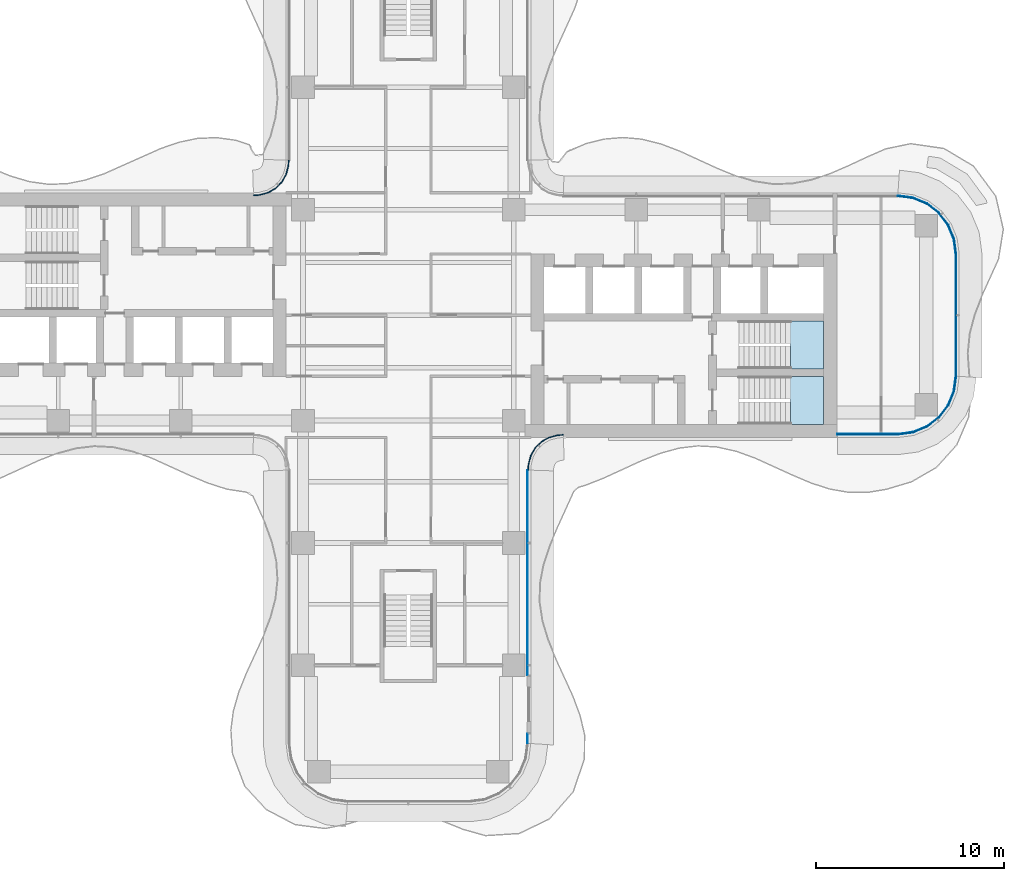
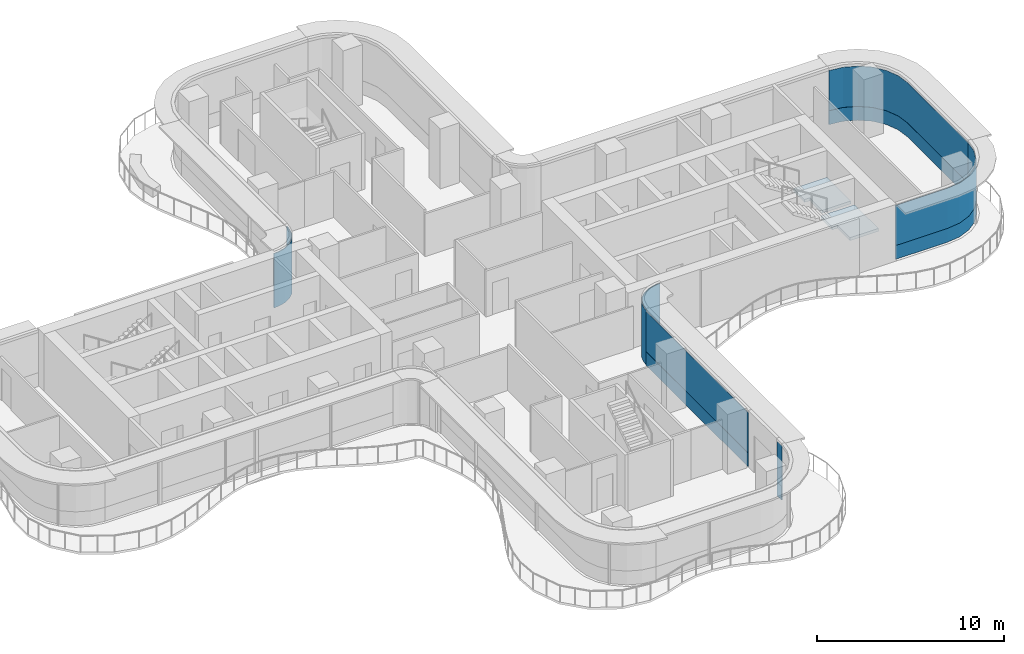
# One storey, part 11 of 18: 10 plates, 2 slabs, 8 elements without a shape of their own.
"""IFC4 building model written with IfcOpenShell, lengths in metres."""

from ifc_helpers import new_model, si_unit, direction, frame, origin, place, context, subcontext, project, spatial, polyline, outline, extrude, source, transform, mapped, material, layer, layer_set, type_object, element, aggregate, save


model = new_model("IFC4")

# Units and contexts
model_context = context("Model", 3, precision=1e-05, world=origin(), true_north=direction((0.0, 1.0)))
body_context = subcontext(model_context, "Body", "Model", "MODEL_VIEW")
ifc_project = project(units=[si_unit("LENGTHUNIT", "METRE"), si_unit("AREAUNIT", "SQUARE_METRE"), si_unit("VOLUMEUNIT", "CUBIC_METRE"), si_unit("PLANEANGLEUNIT", "RADIAN"), si_unit("MASSUNIT", "GRAM", prefix="KILO")], contexts=[model_context])

# Site, building, storey
site_placement = place(None, origin())
site = spatial("IfcSite", under=ifc_project, at=site_placement, CompositionType="ELEMENT")
building_placement = place(site_placement, origin())
building = spatial("IfcBuilding", under=site, at=building_placement, Name="Trellis Farm Tower", CompositionType="ELEMENT")
storey_placement = place(building_placement, frame((0.0, 0.0, 204.89990234375)))
storey = spatial("IfcBuildingStorey", under=building, at=storey_placement, Name="L45", CompositionType="ELEMENT", Elevation=204.89990234375)

# Curtain wall, plate
ifc_material_1 = material(Name="Aluminium and glass curtain wall", Category="aluminium")
ifc_layer_1 = layer(ifc_material_1, 0.18994140625)
ifc_layer_set_1 = layer_set([ifc_layer_1], Name="RIBBON CURTAIN WALL CW1")
curtain_wall_type_1 = type_object("IfcCurtainWallType", Name="RIBBON CURTAIN WALL CW1", PredefinedType="NOTDEFINED", material=ifc_layer_set_1)
placement_1 = place(storey_placement, origin())
curtain_wall_1 = element("IfcCurtainWall", 1, at=placement_1, inside=storey, type_object=curtain_wall_type_1, Name="CW1 004", PredefinedType="NOTDEFINED")
ifc_material_2 = material(Name="Clear insulated glass", Category="glass")
ifc_layer_2 = layer(ifc_material_2, 0.0400390625)
ifc_layer_set_2 = layer_set([ifc_layer_2], Name="CW1 GLASS PANEL 40")
plate_type_1 = type_object("IfcPlateType", Name="CW1 GLASS PANEL 40", PredefinedType="CURTAIN_PANEL", material=ifc_layer_set_2)
placement_2 = place(storey_placement, frame((0.0, 0.0, 0.900146484375)))
plate_1 = element("IfcPlate", 2, at=placement_2, type_object=plate_type_1, Name="PL1 004", PredefinedType="CURTAIN_PANEL", context=body_context, shape_type="SweptSolid", body=[
    extrude(outline(polyline([(6.35009765625, -22.740234375), (6.35009765625, -22.235107421875), (6.31005859375, -22.235107421875), (6.31005859375, -22.737548828125), (6.35009765625, -22.740234375)])), origin(), (0.0, 0.0, 1.0), 2.619873046875),
])

curtain_wall_2 = element("IfcCurtainWall", 3, at=placement_1, inside=storey, type_object=curtain_wall_type_1, Name="CW1 005", PredefinedType="NOTDEFINED")
plate_2 = element("IfcPlate", 4, at=placement_2, type_object=plate_type_1, Name="PL1 005", PredefinedType="CURTAIN_PANEL", context=body_context, shape_type="SweptSolid", body=[
    extrude(outline(polyline([(6.35009765625, -19.114990234375), (6.35009765625, -8.2265625), (6.31005859375, -8.22509765625), (6.31005859375, -19.114990234375), (6.35009765625, -19.114990234375)])), origin(), (0.0, 0.0, 1.0), 2.619873046875),
])

# Plate
ifc_material_3 = material(Name="Sandstone faced insulated panel", Category="masonry")
ifc_layer_3 = layer(ifc_material_3, 0.050048828125)
ifc_layer_set_3 = layer_set([ifc_layer_3], Name="CW1 STONE SPANDREL PANEL 50")
plate_type_2 = type_object("IfcPlateType", Name="CW1 STONE SPANDREL PANEL 50", PredefinedType="CURTAIN_PANEL", material=ifc_layer_set_3)
plate_3 = element("IfcPlate", 5, at=placement_1, type_object=plate_type_2, Name="PS1 004", PredefinedType="CURTAIN_PANEL", context=body_context, shape_type="SweptSolid", body=[
    extrude(outline(polyline([(6.35009765625, -22.740234375), (6.35009765625, -22.235107421875), (6.300048828125, -22.235107421875), (6.300048828125, -22.73681640625), (6.35009765625, -22.740234375)])), origin(), (0.0, 0.0, 1.0), 0.900146484375),
])

aggregate(curtain_wall_1, [plate_1, plate_3])

plate_4 = element("IfcPlate", 6, at=placement_1, type_object=plate_type_2, Name="PS1 005", PredefinedType="CURTAIN_PANEL", context=body_context, shape_type="SweptSolid", body=[
    extrude(outline(polyline([(6.35009765625, -19.114990234375), (6.35009765625, -8.2265625), (6.300048828125, -8.224853515625), (6.300048828125, -19.114990234375), (6.35009765625, -19.114990234375)])), origin(), (0.0, 0.0, 1.0), 0.900146484375),
])

aggregate(curtain_wall_2, [plate_2, plate_4])

# Stair, slab
ifc_material_4 = material(Name="Concrete C50/60", Category="concrete")
stair_type = type_object("IfcStairType", Name="CORE EXIT STAIR 22 RISERS 177 MM", PredefinedType="HALF_TURN_STAIR", material=ifc_material_4)
stair_1 = element("IfcStair", 7, at=placement_1, inside=storey, type_object=stair_type, Name="Exit stair E1", PredefinedType="HALF_TURN_STAIR")
ifc_layer_4 = layer(ifc_material_4, 0.18994140625)
ifc_layer_set_4 = layer_set([ifc_layer_4], Name="CORE STAIR LANDING 190 CONCRETE C50/60")
slab_type = type_object("IfcSlabType", Name="CORE STAIR LANDING 190 CONCRETE C50/60", PredefinedType="LANDING", material=ifc_layer_set_4)
shared_shape_1 = source(origin(), body_context, "Body", "SweptSolid", [
    extrude(outline(polyline([(20.2900390625, -5.800048828125), (20.2900390625, -4.60009765625), (20.300048828125, -4.60009765625), (20.300048828125, -4.449951171875), (19.971923828125, -4.449951171875), (19.971923828125, -3.25), (20.300048828125, -3.25), (22.050048828125, -3.25), (22.050048828125, -5.800048828125), (20.300048828125, -5.800048828125), (20.2900390625, -5.800048828125)])), origin(), (0.0, 0.0, 1.0), 0.190185546875),
])
placement_3 = place(storey_placement, frame((0.0, 0.0, 1.760009765625)))
slab_1 = element("IfcSlab", 8, at=placement_3, type_object=slab_type, Name="STE1 landing 1", PredefinedType="LANDING", context=body_context, shape_type="MappedRepresentation", body=[
    mapped(shared_shape_1, transform((0.0, 0.0, 0.0))),
])
aggregate(stair_1, [slab_1])

stair_2 = element("IfcStair", 9, at=placement_1, inside=storey, type_object=stair_type, Name="Exit stair E2", PredefinedType="HALF_TURN_STAIR")
shared_shape_2 = source(origin(), body_context, "Body", "SweptSolid", [
    extrude(outline(polyline([(20.2900390625, -2.85009765625), (20.2900390625, -1.64990234375), (20.300048828125, -1.64990234375), (20.300048828125, -1.5), (19.971923828125, -1.5), (19.971923828125, -0.300048828125), (20.300048828125, -0.300048828125), (22.050048828125, -0.300048828125), (22.050048828125, -2.85009765625), (20.300048828125, -2.85009765625), (20.2900390625, -2.85009765625)])), origin(), (0.0, 0.0, 1.0), 0.190185546875),
])
slab_2 = element("IfcSlab", 10, at=placement_3, type_object=slab_type, Name="STE2 landing 1", PredefinedType="LANDING", context=body_context, shape_type="MappedRepresentation", body=[
    mapped(shared_shape_2, transform((0.0, 0.0, 0.0))),
])
aggregate(stair_2, [slab_2])

# Curtain wall, plate
ifc_layer_5 = layer(ifc_material_1, 0.166015625)
ifc_layer_set_5 = layer_set([ifc_layer_5], Name="WINTER GARDEN CURTAIN WALL CW3")
curtain_wall_type_2 = type_object("IfcCurtainWallType", Name="WINTER GARDEN CURTAIN WALL CW3", PredefinedType="NOTDEFINED", material=ifc_layer_set_5)
curtain_wall_3 = element("IfcCurtainWall", 11, at=placement_1, inside=storey, type_object=curtain_wall_type_2, Name="CW3 002", PredefinedType="NOTDEFINED")
ifc_layer_6 = layer(ifc_material_2, 0.0458984375)
ifc_layer_set_6 = layer_set([ifc_layer_6], Name="CW3 GLASS PANEL 46")
plate_type_3 = type_object("IfcPlateType", Name="CW3 GLASS PANEL 46", PredefinedType="CURTAIN_PANEL", material=ifc_layer_set_6)
shared_shape_3 = source(origin(), body_context, "Body", "SweptSolid", [
    extrude(outline(polyline([(6.3798828125, -8.2275390625), (6.394287109375, -8.0078125), (6.40966796875, -7.89208984375), (6.52490234375, -7.462158203125), (6.7509765625, -7.070556640625), (7.070556640625, -6.7509765625), (7.462158203125, -6.52490234375), (7.89208984375, -6.40966796875), (8.0078125, -6.394287109375), (8.2275390625, -6.3798828125), (8.22607421875, -6.333984375), (8.003173828125, -6.3486328125), (7.883056640625, -6.364501953125), (7.4443359375, -6.48193359375), (7.04248046875, -6.714111328125), (6.714111328125, -7.04248046875), (6.48193359375, -7.4443359375), (6.364501953125, -7.883056640625), (6.3486328125, -8.003173828125), (6.333984375, -8.22607421875), (6.3798828125, -8.2275390625)])), origin(), (0.0, 0.0, 1.0), 3.550048828125),
])
plate_5 = element("IfcPlate", 12, at=placement_1, type_object=plate_type_3, Name="PL3 002", PredefinedType="CURTAIN_PANEL", context=body_context, shape_type="MappedRepresentation", body=[
    mapped(shared_shape_3, transform((0.0, 0.0, 0.0))),
])
aggregate(curtain_wall_3, [plate_5])

curtain_wall_4 = element("IfcCurtainWall", 13, at=placement_1, inside=storey, type_object=curtain_wall_type_2, Name="CW3 004", PredefinedType="NOTDEFINED")
shared_shape_4 = source(origin(), body_context, "Body", "SweptSolid", [
    extrude(outline(polyline([(-6.3798828125, 8.2275390625), (-6.394287109375, 8.0078125), (-6.40966796875, 7.89208984375), (-6.52490234375, 7.462158203125), (-6.7509765625, 7.070556640625), (-7.070556640625, 6.7509765625), (-7.462158203125, 6.52490234375), (-7.89208984375, 6.40966796875), (-8.0078125, 6.394287109375), (-8.2275390625, 6.3798828125), (-8.22607421875, 6.333984375), (-8.003173828125, 6.3486328125), (-7.883056640625, 6.364501953125), (-7.4443359375, 6.48193359375), (-7.04248046875, 6.714111328125), (-6.714111328125, 7.04248046875), (-6.48193359375, 7.4443359375), (-6.364501953125, 7.883056640625), (-6.3486328125, 8.003173828125), (-6.333984375, 8.22607421875), (-6.3798828125, 8.2275390625)])), origin(), (0.0, 0.0, 1.0), 3.550048828125),
])
plate_6 = element("IfcPlate", 14, at=placement_1, type_object=plate_type_3, Name="PL3 004", PredefinedType="CURTAIN_PANEL", context=body_context, shape_type="MappedRepresentation", body=[
    mapped(shared_shape_4, transform((0.0, 0.0, 0.0))),
])
aggregate(curtain_wall_4, [plate_6])

# Curtain wall, plates
curtain_wall_5 = element("IfcCurtainWall", 15, at=placement_1, inside=storey, type_object=curtain_wall_type_1, Name="CW1 006", PredefinedType="NOTDEFINED")
shared_shape_5 = source(origin(), body_context, "Body", "SweptSolid", [
    extrude(outline(polyline([(22.780029296875, -6.35009765625), (25.990234375, -6.35009765625), (26.802001953125, -6.2431640625), (27.54931640625, -5.93359375), (28.191162109375, -5.441162109375), (28.68359375, -4.79931640625), (28.9931640625, -4.052001953125), (29.10009765625, -3.240234375), (29.06005859375, -3.237548828125), (28.9541015625, -4.04150390625), (28.648681640625, -4.779296875), (28.16259765625, -5.41259765625), (27.529296875, -5.898681640625), (26.79150390625, -6.2041015625), (25.987548828125, -6.31005859375), (22.780029296875, -6.31005859375), (22.780029296875, -6.35009765625)])), origin(), (0.0, 0.0, 1.0), 2.619873046875),
])
plate_7 = element("IfcPlate", 16, at=placement_2, type_object=plate_type_1, Name="PL1 006", PredefinedType="CURTAIN_PANEL", context=body_context, shape_type="MappedRepresentation", body=[
    mapped(shared_shape_5, transform((0.0, 0.0, 0.0))),
])
shared_shape_6 = source(origin(), body_context, "Body", "SweptSolid", [
    extrude(outline(polyline([(22.780029296875, -6.35009765625), (25.990234375, -6.35009765625), (26.802001953125, -6.2431640625), (27.54931640625, -5.93359375), (28.191162109375, -5.441162109375), (28.68359375, -4.79931640625), (28.9931640625, -4.052001953125), (29.10009765625, -3.240234375), (29.050048828125, -3.23681640625), (28.9443359375, -4.0390625), (28.639892578125, -4.774169921875), (28.155517578125, -5.405517578125), (27.524169921875, -5.889892578125), (26.7890625, -6.1943359375), (25.98681640625, -6.300048828125), (22.780029296875, -6.300048828125), (22.780029296875, -6.35009765625)])), origin(), (0.0, 0.0, 1.0), 0.900146484375),
])
plate_8 = element("IfcPlate", 17, at=placement_1, type_object=plate_type_2, Name="PS1 006", PredefinedType="CURTAIN_PANEL", context=body_context, shape_type="MappedRepresentation", body=[
    mapped(shared_shape_6, transform((0.0, 0.0, 0.0))),
])
aggregate(curtain_wall_5, [plate_7, plate_8])

curtain_wall_6 = element("IfcCurtainWall", 18, at=placement_1, inside=storey, type_object=curtain_wall_type_1, Name="CW1 007", PredefinedType="NOTDEFINED")
shared_shape_7 = source(origin(), body_context, "Body", "SweptSolid", [
    extrude(outline(polyline([(29.10009765625, -3.240234375), (29.10009765625, 3.240234375), (28.9931640625, 4.052001953125), (28.68359375, 4.79931640625), (28.191162109375, 5.441162109375), (27.54931640625, 5.93359375), (26.802001953125, 6.2431640625), (25.990234375, 6.35009765625), (25.987548828125, 6.31005859375), (26.79150390625, 6.2041015625), (27.529296875, 5.898681640625), (28.16259765625, 5.41259765625), (28.648681640625, 4.779296875), (28.9541015625, 4.04150390625), (29.06005859375, 3.237548828125), (29.06005859375, -3.237548828125), (29.10009765625, -3.240234375)])), origin(), (0.0, 0.0, 1.0), 2.619873046875),
])
plate_9 = element("IfcPlate", 19, at=placement_2, type_object=plate_type_1, Name="PL1 007", PredefinedType="CURTAIN_PANEL", context=body_context, shape_type="MappedRepresentation", body=[
    mapped(shared_shape_7, transform((0.0, 0.0, 0.0))),
])
shared_shape_8 = source(origin(), body_context, "Body", "SweptSolid", [
    extrude(outline(polyline([(29.10009765625, -3.240234375), (29.10009765625, 3.240234375), (28.9931640625, 4.052001953125), (28.68359375, 4.79931640625), (28.191162109375, 5.441162109375), (27.54931640625, 5.93359375), (26.802001953125, 6.2431640625), (25.990234375, 6.35009765625), (25.98681640625, 6.300048828125), (26.7890625, 6.1943359375), (27.524169921875, 5.889892578125), (28.155517578125, 5.405517578125), (28.639892578125, 4.774169921875), (28.9443359375, 4.0390625), (29.050048828125, 3.23681640625), (29.050048828125, -3.23681640625), (29.10009765625, -3.240234375)])), origin(), (0.0, 0.0, 1.0), 0.900146484375),
])
plate_10 = element("IfcPlate", 20, at=placement_1, type_object=plate_type_2, Name="PS1 007", PredefinedType="CURTAIN_PANEL", context=body_context, shape_type="MappedRepresentation", body=[
    mapped(shared_shape_8, transform((0.0, 0.0, 0.0))),
])
aggregate(curtain_wall_6, [plate_9, plate_10])

save(model, "model.ifc")
